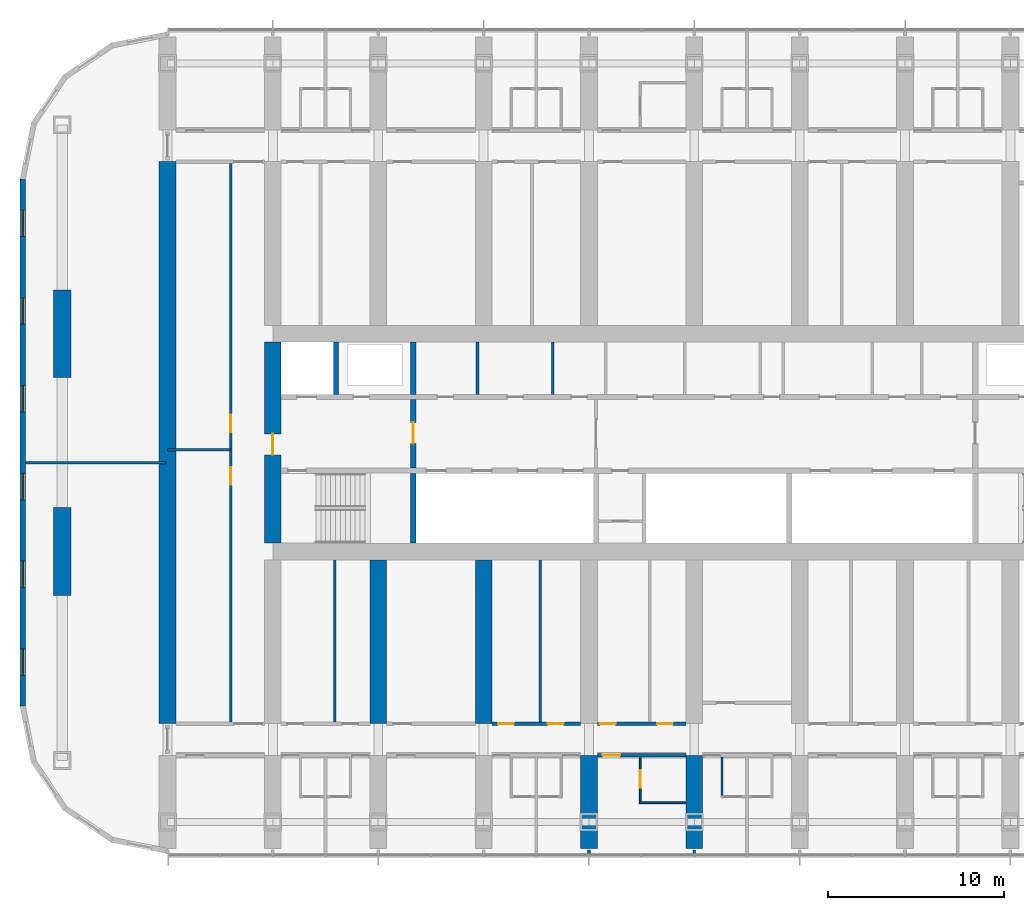
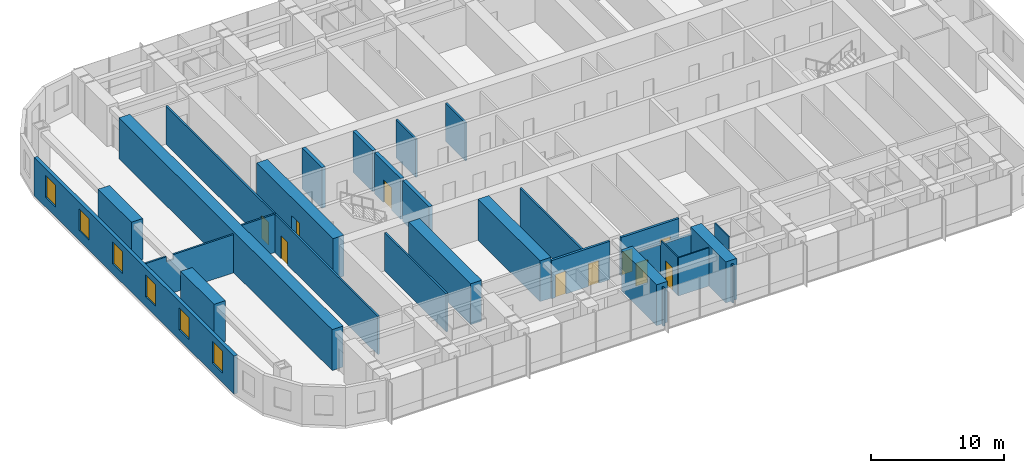
# One storey, part 9 of 21: 28 walls, 10 doors, 6 windows, 16 openings.
"""IFC4 building model written with IfcOpenShell, lengths in metres."""

from ifc_helpers import new_model, si_unit, direction, frame, frame_2d, origin, place, context, subcontext, project, spatial, polyline, rectangle, outline, extrude, material, layer, layer_set, type_object, element, fill, save


model = new_model("IFC4")

# Units and contexts
model_context = context("Model", 3, precision=1e-05, world=origin(), true_north=direction((0.0, 1.0)))
body_context = subcontext(model_context, "Body", "Model", "MODEL_VIEW")
ifc_project = project(units=[si_unit("LENGTHUNIT", "METRE"), si_unit("AREAUNIT", "SQUARE_METRE"), si_unit("VOLUMEUNIT", "CUBIC_METRE"), si_unit("PLANEANGLEUNIT", "RADIAN"), si_unit("MASSUNIT", "GRAM", prefix="KILO")], contexts=[model_context])

# Site, building, storey
site_placement = place(None, origin())
site = spatial("IfcSite", under=ifc_project, at=site_placement, CompositionType="ELEMENT")
building_placement = place(site_placement, origin())
building = spatial("IfcBuilding", under=site, at=building_placement, Name="Orbita Commons", CompositionType="ELEMENT")
storey_placement = place(building_placement, frame((0.0, 0.0, 91.89990234375)))
storey = spatial("IfcBuildingStorey", under=building, at=storey_placement, Name="L22", CompositionType="ELEMENT", Elevation=91.89990234375)

# Wall
ifc_material_1 = material(Name="Concrete C50/60", Category="concrete")
ifc_layer_1 = layer(ifc_material_1, 0.300048828125)
ifc_layer_set_1 = layer_set([ifc_layer_1], Name="Concrete C50/60")
wall_type_1 = type_object("IfcWallType", Name="Core inner wall 300 C50/60", PredefinedType="SHEAR", material=ifc_layer_set_1)
wall_1_placement = place(storey_placement, frame((26.0, 26.27490234375, 0.0), z_axis=(0.0, 0.0, 1.0), x_axis=(0.0, 1.0, 0.0)))
element("IfcWall", 1, at=wall_1_placement, inside=storey, type_object=wall_type_1, Name="Stair S1 wall L22", PredefinedType="SHEAR", context=body_context, shape_type="SweptSolid", body=[
    extrude(rectangle(XDim=3.97509765625, YDim=0.300048828125, at=frame_2d((1.987548828125, 0.0))), origin(), (0.0, 0.0, 1.0), 3.75),
])

# Wall, opening, door
wall_2_placement = place(storey_placement, frame((26.0, 30.550048828125, 0.0), z_axis=(0.0, 0.0, 1.0), x_axis=(0.0, 1.0, 0.0)))
wall_2 = element("IfcWall", 2, at=wall_2_placement, inside=storey, type_object=wall_type_1, Name="Firefighting lobby wall west L22", PredefinedType="SHEAR", context=body_context, shape_type="SweptSolid", body=[
    extrude(rectangle(XDim=3.89990234375, YDim=0.300048828125, at=frame_2d((1.949951171875, 0.0))), origin(), (0.0, 0.0, 1.0), 3.75),
])
opening_1_placement = place(wall_2_placement, frame((1.39990234375, 0.0, 0.0)))
opening_1 = element("IfcOpeningElement", 3, at=opening_1_placement, cuts=wall_2, Name="Opening D04", PredefinedType="OPENING", context=body_context, shape_type="SweptSolid", body=[
    extrude(rectangle(XDim=1.199951171875, YDim=2.10009765625, at=frame_2d((0.60009765625, 1.050048828125))), frame((0.0, 0.159912109375, 0.0), z_axis=(0.0, -1.0, 0.0), x_axis=(1.0, 0.0, 0.0)), (0.0, 0.0, 1.0), 0.320068359375),
])
ifc_material_2 = material(Name="Steel-faced fire door leaf", Category="steel")
door_type_1 = type_object("IfcDoorType", Name="Service door 20 min 1200x2100", OperationType="SINGLE_SWING_LEFT", PredefinedType="DOOR", material=ifc_material_2)
door_1_placement = place(opening_1_placement, origin())
door_1 = element("IfcDoor", 4, at=door_1_placement, inside=storey, type_object=door_type_1, Name="Lift lobby door west", OperationType="SINGLE_SWING_LEFT", OverallHeight=2.10009765625, OverallWidth=1.199951171875, PredefinedType="DOOR", context=body_context, shape_type="SweptSolid", body=[
    extrude(rectangle(XDim=1.199951171875, YDim=2.10009765625, at=frame_2d((0.60009765625, 1.050048828125))), frame((0.0, 0.02490234375, 0.0), z_axis=(0.0, -1.0, 0.0), x_axis=(1.0, 0.0, 0.0)), (0.0, 0.0, 1.0), 0.050048828125),
])
fill(opening_1, door_1)

# Walls
for number, where, z_axis, x_axis, name in (
    (5, (21.60009765625, 34.75, 0.0), (0.0, 0.0, 1.0), (0.0, 1.0, 0.0), "Firefighting lift FL1 shaft wall L22"),
    (6, (26.0, 34.75, 0.0), (0.0, 0.0, 1.0), (0.0, 1.0, 0.0), "Riser wall west L22"),
):
    element("IfcWall", number, at=place(storey_placement, frame(where, z_axis=z_axis, x_axis=x_axis)), inside=storey, type_object=wall_type_1, Name=name, PredefinedType="SHEAR", context=body_context, shape_type="SweptSolid", body=[
        extrude(rectangle(XDim=2.97509765625, YDim=0.300048828125, at=frame_2d((1.487548828125, 0.0))), origin(), (0.0, 0.0, 1.0), 3.75),
    ])
ifc_material_3 = material(Name="Concrete blockwork", Category="masonry")
ifc_layer_2 = layer(ifc_material_3, 0.14990234375)
ifc_layer_set_2 = layer_set([ifc_layer_2], Name="Concrete blockwork")
wall_type_2 = type_object("IfcWallType", Name="Core partition 150 blockwork", PredefinedType="SOLIDWALL", material=ifc_layer_set_2)
for number, where, z_axis, x_axis, name in (
    (7, (29.65087890625, 34.75, 0.0), (0.0, 0.0, 1.0), (0.0, 1.0, 0.0), "Core partition 150 blockwork L22"),
    (8, (33.9462890625, 34.75, 0.0), (0.0, 0.0, 1.0), (0.0, 1.0, 0.0), "Core partition 150 blockwork L22"),
):
    element("IfcWall", number, at=place(storey_placement, frame(where, z_axis=z_axis, x_axis=x_axis)), inside=storey, type_object=wall_type_2, Name=name, PredefinedType="SOLIDWALL", context=body_context, shape_type="SweptSolid", body=[
        extrude(rectangle(XDim=2.97509765625, YDim=0.14990234375, at=frame_2d((1.487548828125, 0.0))), origin(), (0.0, 0.0, 1.0), 3.5),
    ])

# Wall, opening, door
ifc_material_4 = material(Name="Concrete C50/60", Category="concrete")
ifc_layer_3 = layer(ifc_material_4, 0.949951171875)
ifc_layer_set_3 = layer_set([ifc_layer_3], Name="Concrete C50/60")
wall_type_3 = type_object("IfcWallType", Name="Core wall 950 C50/60", PredefinedType="SHEAR", material=ifc_layer_set_3)
wall_3_placement = place(storey_placement, frame((18.0, 26.27490234375, 0.0), z_axis=(0.0, 0.0, 1.0), x_axis=(0.0, 1.0, 0.0)))
wall_3 = element("IfcWall", 9, at=wall_3_placement, inside=storey, type_object=wall_type_3, Name="Core end wall west L22", PredefinedType="SHEAR", context=body_context, shape_type="SweptSolid", body=[
    extrude(rectangle(XDim=11.4501953125, YDim=0.949951171875, at=frame_2d((5.72509765625, 0.0))), origin(), (0.0, 0.0, 1.0), 3.75),
])
opening_2_placement = place(wall_3_placement, frame((5.02490234375, 0.0, 0.0)))
opening_2 = element("IfcOpeningElement", 10, at=opening_2_placement, cuts=wall_3, Name="Opening D01", PredefinedType="OPENING", context=body_context, shape_type="SweptSolid", body=[
    extrude(rectangle(XDim=1.199951171875, YDim=2.10009765625, at=frame_2d((0.60009765625, 1.050048828125))), frame((0.0, 0.48486328125, 0.0), z_axis=(0.0, -1.0, 0.0), x_axis=(1.0, 0.0, 0.0)), (0.0, 0.0, 1.0), 0.969970703125),
])
ifc_material_5 = material(Name="Steel-faced fire door leaf", Category="steel")
door_type_2 = type_object("IfcDoorType", Name="Fire door 90 min 1200x2100", OperationType="SINGLE_SWING_LEFT", PredefinedType="DOOR", material=ifc_material_5)
door_2_placement = place(opening_2_placement, origin())
door_2 = element("IfcDoor", 11, at=door_2_placement, inside=storey, type_object=door_type_2, Name="Firefighting lobby west door", OperationType="SINGLE_SWING_LEFT", OverallHeight=2.10009765625, OverallWidth=1.199951171875, PredefinedType="DOOR", context=body_context, shape_type="SweptSolid", body=[
    extrude(rectangle(XDim=1.199951171875, YDim=2.10009765625, at=frame_2d((0.60009765625, 1.050048828125))), frame((0.0, 0.02490234375, 0.0), z_axis=(0.0, -1.0, 0.0), x_axis=(1.0, 0.0, 0.0)), (0.0, 0.0, 1.0), 0.050048828125),
])
fill(opening_2, door_2)

ifc_material_6 = material(Name="Concrete blockwork", Category="masonry")
ifc_layer_4 = layer(ifc_material_6, 0.199951171875)
ifc_layer_set_4 = layer_set([ifc_layer_4], Name="Concrete blockwork")
wall_type_4 = type_object("IfcWallType", Name="Corridor wall 200 blockwork", PredefinedType="SOLIDWALL", material=ifc_layer_set_4)
wall_4_placement = place(storey_placement, frame((36.47509765625, 14.199951171875, 0.0), z_axis=(0.0, 0.0, 1.0), x_axis=(1.0, 0.0, 0.0)))
wall_4 = element("IfcWall", 12, at=wall_4_placement, inside=storey, type_object=wall_type_4, Name="Corridor wall 200 blockwork L22", PredefinedType="SOLIDWALL", context=body_context, shape_type="SweptSolid", body=[
    extrude(outline(polyline([(0.0, 0.0), (5.0498046875, 0.0), (5.050048828125, 3.10009765625), (0.0, 3.10009765625), (0.0, 0.0)])), frame((0.0, 0.10009765625, 0.0), z_axis=(0.0, -1.0, 0.0), x_axis=(1.0, 0.0, 0.0)), (0.0, 0.0, 1.0), 0.199951171875),
])
opening_3_placement = place(wall_4_placement, frame((0.300048828125, 0.0, 0.0)))
opening_3 = element("IfcOpeningElement", 13, at=opening_3_placement, cuts=wall_4, Name="Opening D06", PredefinedType="OPENING", context=body_context, shape_type="SweptSolid", body=[
    extrude(rectangle(XDim=1.0, YDim=2.10009765625, at=frame_2d((0.5, 1.050048828125))), frame((0.0, 0.10986328125, 0.0), z_axis=(0.0, -1.0, 0.0), x_axis=(1.0, 0.0, 0.0)), (0.0, 0.0, 1.0), 0.219970703125),
])
ifc_material_7 = material(Name="Steel-faced fire door leaf", Category="steel")
door_type_3 = type_object("IfcDoorType", Name="Corridor door 20 min 1000x2100", OperationType="SINGLE_SWING_LEFT", PredefinedType="DOOR", material=ifc_material_7)
door_3_placement = place(opening_3_placement, origin())
door_3 = element("IfcDoor", 14, at=door_3_placement, inside=storey, type_object=door_type_3, Name="Accessible bedroom L22-S08 door", OperationType="SINGLE_SWING_LEFT", OverallHeight=2.10009765625, OverallWidth=1.0, PredefinedType="DOOR", context=body_context, shape_type="SweptSolid", body=[
    extrude(rectangle(XDim=1.0, YDim=2.10009765625, at=frame_2d((0.5, 1.050048828125))), frame((0.0, 0.02490234375, 0.0), z_axis=(0.0, -1.0, 0.0), x_axis=(1.0, 0.0, 0.0)), (0.0, 0.0, 1.0), 0.050048828125),
])
fill(opening_3, door_3)

# Wall, openings, doors
ifc_material_8 = material(Name="Hollow concrete block 200", Category="concrete")
ifc_layer_5 = layer(ifc_material_8, 0.199951171875)
ifc_layer_set_5 = layer_set([ifc_layer_5], Name="Hollow concrete block 200")
wall_type_5 = type_object("IfcWallType", Name="Corridor wall 200 hollow concrete block", PredefinedType="SOLIDWALL", material=ifc_layer_set_5)
wall_5_placement = place(storey_placement, frame((30.47509765625, 16.0, 0.0), z_axis=(0.0, 0.0, 1.0), x_axis=(1.0, 0.0, 0.0)))
wall_5 = element("IfcWall", 15, at=wall_5_placement, inside=storey, type_object=wall_type_5, Name="Corridor wall 200 hollow concrete block L22", PredefinedType="SOLIDWALL", context=body_context, shape_type="SweptSolid", body=[
    extrude(rectangle(XDim=5.0498046875, YDim=0.199951171875, at=frame_2d((2.52490234375, 0.0))), origin(), (0.0, 0.0, 1.0), 3.5),
])
opening_4_placement = place(wall_5_placement, frame((0.35009765625, 0.0, 0.0)))
opening_4 = element("IfcOpeningElement", 16, at=opening_4_placement, cuts=wall_5, Name="Opening D11", PredefinedType="OPENING", context=body_context, shape_type="SweptSolid", body=[
    extrude(rectangle(XDim=0.89990234375, YDim=2.10009765625, at=frame_2d((0.449951171875, 1.050048828125))), frame((0.0, 0.10986328125, 0.0), z_axis=(0.0, -1.0, 0.0), x_axis=(1.0, 0.0, 0.0)), (0.0, 0.0, 1.0), 0.219970703125),
])
opening_5_placement = place(wall_5_placement, frame((3.18505859375, 0.0, 0.0)))
opening_5 = element("IfcOpeningElement", 17, at=opening_5_placement, cuts=wall_5, Name="Opening D11", PredefinedType="OPENING", context=body_context, shape_type="SweptSolid", body=[
    extrude(rectangle(XDim=0.89990234375, YDim=2.10009765625, at=frame_2d((0.449951171875, 1.050048828125))), frame((0.0, 0.10986328125, 0.0), z_axis=(0.0, -1.0, 0.0), x_axis=(1.0, 0.0, 0.0)), (0.0, 0.0, 1.0), 0.219970703125),
])
ifc_material_9 = material(Name="Steel-faced fire door leaf", Category="steel")
door_type_4 = type_object("IfcDoorType", Name="Corridor door 20 min 900x2100", OperationType="SINGLE_SWING_LEFT", PredefinedType="DOOR", material=ifc_material_9)
door_4_placement = place(opening_4_placement, origin())
door_4 = element("IfcDoor", 18, at=door_4_placement, inside=storey, type_object=door_type_4, Name="Bicycle repair workshop L22-BDS30 door", OperationType="SINGLE_SWING_LEFT", OverallHeight=2.10009765625, OverallWidth=0.89990234375, PredefinedType="DOOR", context=body_context, shape_type="SweptSolid", body=[
    extrude(rectangle(XDim=0.89990234375, YDim=2.10009765625, at=frame_2d((0.449951171875, 1.050048828125))), frame((0.0, 0.02490234375, 0.0), z_axis=(0.0, -1.0, 0.0), x_axis=(1.0, 0.0, 0.0)), (0.0, 0.0, 1.0), 0.050048828125),
])
fill(opening_4, door_4)
door_5_placement = place(opening_5_placement, origin())
door_5 = element("IfcDoor", 19, at=door_5_placement, inside=storey, type_object=door_type_4, Name="Battery and UPS room L22-BDS30n door", OperationType="SINGLE_SWING_LEFT", OverallHeight=2.10009765625, OverallWidth=0.89990234375, PredefinedType="DOOR", context=body_context, shape_type="SweptSolid", body=[
    extrude(rectangle(XDim=0.89990234375, YDim=2.10009765625, at=frame_2d((0.449951171875, 1.050048828125))), frame((0.0, 0.02490234375, 0.0), z_axis=(0.0, -1.0, 0.0), x_axis=(1.0, 0.0, 0.0)), (0.0, 0.0, 1.0), 0.050048828125),
])
fill(opening_5, door_5)

wall_6_placement = place(storey_placement, frame((36.47509765625, 16.0, 0.0), z_axis=(0.0, 0.0, 1.0), x_axis=(1.0, 0.0, 0.0)))
wall_6 = element("IfcWall", 20, at=wall_6_placement, inside=storey, type_object=wall_type_5, Name="Corridor wall 200 hollow concrete block L22", PredefinedType="SOLIDWALL", context=body_context, shape_type="SweptSolid", body=[
    extrude(rectangle(XDim=5.0498046875, YDim=0.199951171875, at=frame_2d((2.52490234375, 0.0))), origin(), (0.0, 0.0, 1.0), 3.5),
])
opening_6_placement = place(wall_6_placement, frame((0.14990234375, 0.0, 0.0)))
opening_6 = element("IfcOpeningElement", 21, at=opening_6_placement, cuts=wall_6, Name="Opening D11", PredefinedType="OPENING", context=body_context, shape_type="SweptSolid", body=[
    extrude(rectangle(XDim=0.89990234375, YDim=2.10009765625, at=frame_2d((0.449951171875, 1.050048828125))), frame((0.0, 0.10986328125, 0.0), z_axis=(0.0, -1.0, 0.0), x_axis=(1.0, 0.0, 0.0)), (0.0, 0.0, 1.0), 0.219970703125),
])
opening_7_placement = place(wall_6_placement, frame((3.405029296875, 0.0, 0.0)))
opening_7 = element("IfcOpeningElement", 22, at=opening_7_placement, cuts=wall_6, Name="Opening D11", PredefinedType="OPENING", context=body_context, shape_type="SweptSolid", body=[
    extrude(rectangle(XDim=0.89990234375, YDim=2.10009765625, at=frame_2d((0.449951171875, 1.050048828125))), frame((0.0, 0.10986328125, 0.0), z_axis=(0.0, -1.0, 0.0), x_axis=(1.0, 0.0, 0.0)), (0.0, 0.0, 1.0), 0.219970703125),
])
door_6_placement = place(opening_6_placement, origin())
door_6 = element("IfcDoor", 23, at=door_6_placement, inside=storey, type_object=door_type_4, Name="Meeting room L22-BDS36 door", OperationType="SINGLE_SWING_LEFT", OverallHeight=2.10009765625, OverallWidth=0.89990234375, PredefinedType="DOOR", context=body_context, shape_type="SweptSolid", body=[
    extrude(rectangle(XDim=0.89990234375, YDim=2.10009765625, at=frame_2d((0.449951171875, 1.050048828125))), frame((0.0, 0.02490234375, 0.0), z_axis=(0.0, -1.0, 0.0), x_axis=(1.0, 0.0, 0.0)), (0.0, 0.0, 1.0), 0.050048828125),
])
fill(opening_6, door_6)
door_7_placement = place(opening_7_placement, origin())
door_7 = element("IfcDoor", 24, at=door_7_placement, inside=storey, type_object=door_type_4, Name="Sprinkler valve room L22-BDS36n door", OperationType="SINGLE_SWING_LEFT", OverallHeight=2.10009765625, OverallWidth=0.89990234375, PredefinedType="DOOR", context=body_context, shape_type="SweptSolid", body=[
    extrude(rectangle(XDim=0.89990234375, YDim=2.10009765625, at=frame_2d((0.449951171875, 1.050048828125))), frame((0.0, 0.02490234375, 0.0), z_axis=(0.0, -1.0, 0.0), x_axis=(1.0, 0.0, 0.0)), (0.0, 0.0, 1.0), 0.050048828125),
])
fill(opening_7, door_7)

# Walls
ifc_material_10 = material(Name="Concrete C50/60", Category="concrete")
ifc_layer_6 = layer(ifc_material_10, 0.949951171875)
ifc_layer_set_6 = layer_set([ifc_layer_6], Name="Concrete C50/60")
wall_type_6 = type_object("IfcWallType", Name="Cross wall 950 C50/60", PredefinedType="SHEAR", material=ifc_layer_set_6)
wall_7_placement = place(storey_placement, frame((12.0, 16.0, 0.0), z_axis=(0.0, 0.0, 1.0), x_axis=(0.0, 1.0, 0.0)))
element("IfcWall", 25, at=wall_7_placement, inside=storey, type_object=wall_type_6, Name="Cross wall 3 inner L22", PredefinedType="SHEAR", context=body_context, shape_type="SweptSolid", body=[
    extrude(rectangle(XDim=32.0, YDim=0.949951171875, at=frame_2d((16.0, 0.0))), origin(), (0.0, 0.0, 1.0), 3.75),
])
for number, where, z_axis, x_axis, name in (
    (26, (24.0, 16.0, 0.0), (0.0, 0.0, 1.0), (0.0, 1.0, 0.0), "Cross wall 5 south inner L22"),
    (27, (30.0, 16.0, 0.0), (0.0, 0.0, 1.0), (0.0, 1.0, 0.0), "Cross wall 6 south inner L22"),
):
    element("IfcWall", number, at=place(storey_placement, frame(where, z_axis=z_axis, x_axis=x_axis)), inside=storey, type_object=wall_type_6, Name=name, PredefinedType="SHEAR", context=body_context, shape_type="SweptSolid", body=[
        extrude(rectangle(XDim=9.324951171875, YDim=0.949951171875, at=frame_2d((4.66259765625, 0.0))), origin(), (0.0, 0.0, 1.0), 3.75),
    ])
for number, where, z_axis, x_axis, name in (
    (28, (36.0, 8.89990234375, 0.0), (0.0, 0.0, 1.0), (0.0, 1.0, 0.0), "Cross wall 7 south outer L22"),
    (29, (42.0, 8.89990234375, 0.0), (0.0, 0.0, 1.0), (0.0, 1.0, 0.0), "Cross wall 8 south outer L22"),
):
    element("IfcWall", number, at=place(storey_placement, frame(where, z_axis=z_axis, x_axis=x_axis)), inside=storey, type_object=wall_type_6, Name=name, PredefinedType="SHEAR", context=body_context, shape_type="SweptSolid", body=[
        extrude(rectangle(XDim=5.300048828125, YDim=0.949951171875, at=frame_2d((2.64990234375, 0.0))), origin(), (0.0, 0.0, 1.0), 3.75),
    ])
ifc_material_11 = material(Name="Moisture-resistant plasterboard on steel studs", Category="steel")
ifc_layer_7 = layer(ifc_material_11, 0.10009765625)
ifc_layer_set_7 = layer_set([ifc_layer_7], Name="Moisture-resistant plasterboard on steel studs")
wall_type_7 = type_object("IfcWallType", Name="En-suite partition 100", PredefinedType="PARTITIONING", material=ifc_layer_set_7)
wall_8_placement = place(storey_placement, frame((38.875, 11.5, 0.0), z_axis=(0.0, 0.0, 1.0), x_axis=(1.0, 0.0, 0.0)))
element("IfcWall", 30, at=wall_8_placement, inside=storey, type_object=wall_type_7, Name="En-suite partition 100 L22", PredefinedType="PARTITIONING", context=body_context, shape_type="SweptSolid", body=[
    extrude(rectangle(XDim=2.64990234375, YDim=0.10009765625, at=frame_2d((1.324951171875, 0.0))), origin(), (0.0, 0.0, 1.0), 3.5),
])

# Wall, opening, door
wall_9_placement = place(storey_placement, frame((38.925048828125, 11.550048828125, 0.0), z_axis=(0.0, 0.0, 1.0), x_axis=(0.0, 1.0, 0.0)))
wall_9 = element("IfcWall", 31, at=wall_9_placement, inside=storey, type_object=wall_type_7, Name="En-suite partition 100 L22", PredefinedType="PARTITIONING", context=body_context, shape_type="SweptSolid", body=[
    extrude(outline(polyline([(0.0, 0.0), (2.550048828125, 0.0), (2.550048828125, 3.10009765625), (2.501953125, 3.10009765625), (2.5, 3.5), (0.0, 3.5), (0.0, 0.0)])), frame((0.0, 0.050048828125, 0.0), z_axis=(0.0, -1.0, 0.0), x_axis=(1.0, 0.0, 0.0)), (0.0, 0.0, 1.0), 0.10009765625),
])
opening_8_placement = place(wall_9_placement, frame((0.800048828125, 0.0, 0.0)))
opening_8 = element("IfcOpeningElement", 32, at=opening_8_placement, cuts=wall_9, Name="Opening D13", PredefinedType="OPENING", context=body_context, shape_type="SweptSolid", body=[
    extrude(rectangle(XDim=1.0, YDim=2.10009765625, at=frame_2d((0.5, 1.050048828125))), frame((0.0, 0.06005859375, 0.0), z_axis=(0.0, -1.0, 0.0), x_axis=(1.0, 0.0, 0.0)), (0.0, 0.0, 1.0), 0.1201171875),
])
ifc_material_12 = material(Name="Laminated timber door leaf", Category="wood")
door_type_5 = type_object("IfcDoorType", Name="En-suite door 1000x2100", OperationType="SINGLE_SWING_RIGHT", PredefinedType="DOOR", material=ifc_material_12)
door_8_placement = place(opening_8_placement, origin())
door_8 = element("IfcDoor", 33, at=door_8_placement, inside=storey, type_object=door_type_5, Name="Accessible shower room L22-S08 door", OperationType="SINGLE_SWING_RIGHT", OverallHeight=2.10009765625, OverallWidth=1.0, PredefinedType="DOOR", context=body_context, shape_type="SweptSolid", body=[
    extrude(rectangle(XDim=1.0, YDim=2.10009765625, at=frame_2d((0.5, 1.050048828125))), frame((0.0, 0.02490234375, 0.0), z_axis=(0.0, -1.0, 0.0), x_axis=(1.0, 0.0, 0.0)), (0.0, 0.0, 1.0), 0.050048828125),
])
fill(opening_8, door_8)

# Walls
wall_10_placement = place(storey_placement, frame((43.574951171875, 11.890625, 0.0), z_axis=(0.0, 0.0, 1.0), x_axis=(0.0, 1.0, 0.0)))
element("IfcWall", 34, at=wall_10_placement, inside=storey, type_object=wall_type_7, Name="En-suite partition 100 L22", PredefinedType="PARTITIONING", context=body_context, shape_type="SweptSolid", body=[
    extrude(outline(polyline([(0.0, 0.0), (2.20947265625, 0.0), (2.209228515625, 3.10009765625), (2.161376953125, 3.10009765625), (2.1591796875, 3.5), (0.0, 3.5), (0.0, 0.0)])), frame((0.0, 0.050048828125, 0.0), z_axis=(0.0, -1.0, 0.0), x_axis=(1.0, 0.0, 0.0)), (0.0, 0.0, 1.0), 0.10009765625),
])
ifc_material_13 = material(Name="Concrete C50/60", Category="concrete")
ifc_layer_8 = layer(ifc_material_13, 1.0)
ifc_layer_set_8 = layer_set([ifc_layer_8], Name="Concrete C50/60")
wall_type_8 = type_object("IfcWallType", Name="End pier 1000x5000 C50/60", PredefinedType="SHEAR", material=ifc_layer_set_8)
for number, where, z_axis, x_axis, name in (
    (35, (6.0, 23.300048828125, 0.0), (0.0, 0.0, 1.0), (0.0, 1.0, 0.0), "End pier 2/C L22"),
    (36, (6.0, 35.699951171875, 0.0), (0.0, 0.0, 1.0), (0.0, 1.0, 0.0), "End pier 2/D L22"),
):
    element("IfcWall", number, at=place(storey_placement, frame(where, z_axis=z_axis, x_axis=x_axis)), inside=storey, type_object=wall_type_8, Name=name, PredefinedType="SHEAR", context=body_context, shape_type="SweptSolid", body=[
        extrude(rectangle(XDim=5.0, YDim=1.0, at=frame_2d((2.5, 0.0))), origin(), (0.0, 0.0, 1.0), 3.75),
    ])
ifc_material_14 = material(Name="Gypsum plasterboard on steel studs", Category="steel")
ifc_layer_9 = layer(ifc_material_14, 0.14990234375)
ifc_layer_set_9 = layer_set([ifc_layer_9], Name="Gypsum plasterboard on steel studs")
wall_type_9 = type_object("IfcWallType", Name="Partition 150 plasterboard", PredefinedType="PARTITIONING", material=ifc_layer_set_9)
for number, where, z_axis, x_axis, name in (
    (37, (21.52490234375, 16.10009765625, 0.0), (0.0, 0.0, 1.0), (0.0, 1.0, 0.0), "Partition 150 plasterboard L22"),
    (38, (33.235107421875, 16.10009765625, 0.0), (0.0, 0.0, 1.0), (0.0, 1.0, 0.0), "Partition 150 plasterboard L22"),
):
    element("IfcWall", number, at=place(storey_placement, frame(where, z_axis=z_axis, x_axis=x_axis)), inside=storey, type_object=wall_type_9, Name=name, PredefinedType="PARTITIONING", context=body_context, shape_type="SweptSolid", body=[
        extrude(rectangle(XDim=9.224853515625, YDim=0.14990234375, at=frame_2d((4.6123046875, 0.0))), origin(), (0.0, 0.0, 1.0), 3.5),
    ])

# Wall, openings, doors
wall_11_placement = place(storey_placement, frame((15.60009765625, 16.10009765625, 0.0), z_axis=(0.0, 0.0, 1.0), x_axis=(0.0, 1.0, 0.0)))
wall_11 = element("IfcWall", 39, at=wall_11_placement, inside=storey, type_object=wall_type_9, Name="Partition 150 plasterboard L22", PredefinedType="PARTITIONING", context=body_context, shape_type="SweptSolid", body=[
    extrude(rectangle(XDim=31.7998046875, YDim=0.14990234375, at=frame_2d((15.89990234375, 0.0))), origin(), (0.0, 0.0, 1.0), 3.5),
])
opening_9_placement = place(wall_11_placement, frame((13.5, 0.0, 0.0)))
opening_9 = element("IfcOpeningElement", 40, at=opening_9_placement, cuts=wall_11, Name="Opening D06", PredefinedType="OPENING", context=body_context, shape_type="SweptSolid", body=[
    extrude(rectangle(XDim=1.0, YDim=2.10009765625, at=frame_2d((0.5, 1.050048828125))), frame((0.0, 0.0849609375, 0.0), z_axis=(0.0, -1.0, 0.0), x_axis=(1.0, 0.0, 0.0)), (0.0, 0.0, 1.0), 0.169921875),
])
opening_10_placement = place(wall_11_placement, frame((16.5, 0.0, 0.0)))
opening_10 = element("IfcOpeningElement", 41, at=opening_10_placement, cuts=wall_11, Name="Opening D06", PredefinedType="OPENING", context=body_context, shape_type="SweptSolid", body=[
    extrude(rectangle(XDim=1.0, YDim=2.10009765625, at=frame_2d((0.5, 1.050048828125))), frame((0.0, 0.0849609375, 0.0), z_axis=(0.0, -1.0, 0.0), x_axis=(1.0, 0.0, 0.0)), (0.0, 0.0, 1.0), 0.169921875),
])
door_9_placement = place(opening_9_placement, origin())
door_9 = element("IfcDoor", 42, at=door_9_placement, inside=storey, type_object=door_type_3, Name="Interview room door", OperationType="SINGLE_SWING_LEFT", OverallHeight=2.10009765625, OverallWidth=1.0, PredefinedType="DOOR", context=body_context, shape_type="SweptSolid", body=[
    extrude(rectangle(XDim=1.0, YDim=2.10009765625, at=frame_2d((0.5, 1.050048828125))), frame((0.0, 0.02490234375, 0.0), z_axis=(0.0, -1.0, 0.0), x_axis=(1.0, 0.0, 0.0)), (0.0, 0.0, 1.0), 0.050048828125),
])
fill(opening_9, door_9)
door_10_placement = place(opening_10_placement, origin())
door_10 = element("IfcDoor", 43, at=door_10_placement, inside=storey, type_object=door_type_3, Name="Prayer room door", OperationType="SINGLE_SWING_LEFT", OverallHeight=2.10009765625, OverallWidth=1.0, PredefinedType="DOOR", context=body_context, shape_type="SweptSolid", body=[
    extrude(rectangle(XDim=1.0, YDim=2.10009765625, at=frame_2d((0.5, 1.050048828125))), frame((0.0, 0.02490234375, 0.0), z_axis=(0.0, -1.0, 0.0), x_axis=(1.0, 0.0, 0.0)), (0.0, 0.0, 1.0), 0.050048828125),
])
fill(opening_10, door_10)

# Walls
wall_12_placement = place(storey_placement, frame((12.0, 31.60009765625, 0.0), z_axis=(0.0, 0.0, 1.0), x_axis=(1.0, 0.0, 0.0)))
element("IfcWall", 44, at=wall_12_placement, inside=storey, type_object=wall_type_9, Name="Partition 150 plasterboard L22", PredefinedType="PARTITIONING", context=body_context, shape_type="SweptSolid", body=[
    extrude(rectangle(XDim=3.60009765625, YDim=0.14990234375, at=frame_2d((1.800048828125, 0.0))), origin(), (0.0, 0.0, 1.0), 3.5),
])
wall_13_placement = place(storey_placement, frame((3.905029296875, 30.85009765625, 0.0), z_axis=(0.0, 0.0, 1.0), x_axis=(1.0, 0.0, 0.0)))
element("IfcWall", 45, at=wall_13_placement, inside=storey, type_object=wall_type_9, Name="Partition 150 plasterboard L22", PredefinedType="PARTITIONING", context=body_context, shape_type="SweptSolid", body=[
    extrude(outline(polyline([(0.0, 0.0), (8.02001953125, 0.0), (8.02001953125, 3.5), (2.39697265625, 3.5), (2.39501953125, 3.050048828125), (1.797119140625, 3.050048828125), (1.794921875, 3.5), (0.0, 3.5), (0.0, 0.0)])), frame((0.0, 0.074951171875, 0.0), z_axis=(0.0, -1.0, 0.0), x_axis=(1.0, 0.0, 0.0)), (0.0, 0.0, 1.0), 0.14990234375),
])
for number, where, z_axis, x_axis, name in (
    (46, (36.0, 8.800048828125, 0.0), (0.0, 0.0, 1.0), (0.0, -1.0, 0.0), "Partition 150 plasterboard L22"),
    (47, (42.0, 8.800048828125, 0.0), (0.0, 0.0, 1.0), (0.0, -1.0, 0.0), "Partition 150 plasterboard L22"),
):
    element("IfcWall", number, at=place(storey_placement, frame(where, z_axis=z_axis, x_axis=x_axis)), inside=storey, type_object=wall_type_9, Name=name, PredefinedType="PARTITIONING", context=body_context, shape_type="SweptSolid", body=[
        extrude(rectangle(XDim=0.18994140625, YDim=0.14990234375, at=frame_2d((0.094970703125, 0.0))), origin(), (0.0, 0.0, 1.0), 3.5),
    ])

# Wall, openings, windows
ifc_material_15 = material(Name="Precast concrete C40/50, white board-marked finish", Category="concrete")
ifc_layer_10 = layer(ifc_material_15, 0.300048828125)
ifc_layer_set_10 = layer_set([ifc_layer_10], Name="Precast concrete C40/50, white board-marked finish")
wall_type_10 = type_object("IfcWallType", Name="Precast concrete end shield 300", PredefinedType="SOLIDWALL", material=ifc_layer_set_10)
wall_14_placement = place(storey_placement, frame((3.75, 47.0, 0.0), z_axis=(0.0, 0.0, 1.0), x_axis=(0.0, -1.0, 0.0)))
wall_14 = element("IfcWall", 48, at=wall_14_placement, inside=storey, type_object=wall_type_10, Name="End shield W L22", PredefinedType="SOLIDWALL", context=body_context, shape_type="SweptSolid", body=[
    extrude(outline(polyline([(-0.014892578125, -0.14990234375), (30.014892578125, -0.14990234375), (29.985107421875, 0.14990234375), (0.014892578125, 0.14990234375), (-0.014892578125, -0.14990234375)])), origin(), (0.0, 0.0, 1.0), 3.5),
])
opening_11_placement = place(wall_14_placement, frame((1.75, 0.0, 0.89990234375)))
opening_11 = element("IfcOpeningElement", 49, at=opening_11_placement, cuts=wall_14, Name="Opening W01", PredefinedType="OPENING", context=body_context, shape_type="SweptSolid", body=[
    extrude(rectangle(XDim=1.5, YDim=2.0, at=frame_2d((0.75, 1.0))), frame((0.0, 0.159912109375, 0.0), z_axis=(0.0, -1.0, 0.0), x_axis=(1.0, 0.0, 0.0)), (0.0, 0.0, 1.0), 0.320068359375),
])
opening_12_placement = place(wall_14_placement, frame((6.75, 0.0, 0.89990234375)))
opening_12 = element("IfcOpeningElement", 50, at=opening_12_placement, cuts=wall_14, Name="Opening W01", PredefinedType="OPENING", context=body_context, shape_type="SweptSolid", body=[
    extrude(rectangle(XDim=1.5, YDim=2.0, at=frame_2d((0.75, 1.0))), frame((0.0, 0.159912109375, 0.0), z_axis=(0.0, -1.0, 0.0), x_axis=(1.0, 0.0, 0.0)), (0.0, 0.0, 1.0), 0.320068359375),
])
opening_13_placement = place(wall_14_placement, frame((11.75, 0.0, 0.89990234375)))
opening_13 = element("IfcOpeningElement", 51, at=opening_13_placement, cuts=wall_14, Name="Opening W01", PredefinedType="OPENING", context=body_context, shape_type="SweptSolid", body=[
    extrude(rectangle(XDim=1.5, YDim=2.0, at=frame_2d((0.75, 1.0))), frame((0.0, 0.159912109375, 0.0), z_axis=(0.0, -1.0, 0.0), x_axis=(1.0, 0.0, 0.0)), (0.0, 0.0, 1.0), 0.320068359375),
])
opening_14_placement = place(wall_14_placement, frame((16.75, 0.0, 0.89990234375)))
opening_14 = element("IfcOpeningElement", 52, at=opening_14_placement, cuts=wall_14, Name="Opening W01", PredefinedType="OPENING", context=body_context, shape_type="SweptSolid", body=[
    extrude(rectangle(XDim=1.5, YDim=2.0, at=frame_2d((0.75, 1.0))), frame((0.0, 0.159912109375, 0.0), z_axis=(0.0, -1.0, 0.0), x_axis=(1.0, 0.0, 0.0)), (0.0, 0.0, 1.0), 0.320068359375),
])
opening_15_placement = place(wall_14_placement, frame((21.75, 0.0, 0.89990234375)))
opening_15 = element("IfcOpeningElement", 53, at=opening_15_placement, cuts=wall_14, Name="Opening W01", PredefinedType="OPENING", context=body_context, shape_type="SweptSolid", body=[
    extrude(rectangle(XDim=1.5, YDim=2.0, at=frame_2d((0.75, 1.0))), frame((0.0, 0.159912109375, 0.0), z_axis=(0.0, -1.0, 0.0), x_axis=(1.0, 0.0, 0.0)), (0.0, 0.0, 1.0), 0.320068359375),
])
opening_16_placement = place(wall_14_placement, frame((26.75, 0.0, 0.89990234375)))
opening_16 = element("IfcOpeningElement", 54, at=opening_16_placement, cuts=wall_14, Name="Opening W01", PredefinedType="OPENING", context=body_context, shape_type="SweptSolid", body=[
    extrude(rectangle(XDim=1.5, YDim=2.0, at=frame_2d((0.75, 1.0))), frame((0.0, 0.159912109375, 0.0), z_axis=(0.0, -1.0, 0.0), x_axis=(1.0, 0.0, 0.0)), (0.0, 0.0, 1.0), 0.320068359375),
])
ifc_material_16 = material(Name="Aluminium frame, clear double glazing", Category="aluminium")
window_type = type_object("IfcWindowType", Name="Deep-set window 1500x2000", PartitioningType="SINGLE_PANEL", PredefinedType="WINDOW", material=ifc_material_16)
window_1_placement = place(opening_11_placement, origin())
window_1 = element("IfcWindow", 55, at=window_1_placement, inside=storey, type_object=window_type, Name="Window L22-W 1", OverallHeight=2.0, OverallWidth=1.5, PartitioningType="SINGLE_PANEL", PredefinedType="WINDOW", context=body_context, shape_type="SweptSolid", body=[
    extrude(rectangle(XDim=1.5, YDim=2.0, at=frame_2d((0.75, 1.0))), frame((0.0, 0.030029296875, 0.0), z_axis=(0.0, -1.0, 0.0), x_axis=(1.0, 0.0, 0.0)), (0.0, 0.0, 1.0), 0.06005859375),
])
fill(opening_11, window_1)
window_2_placement = place(opening_12_placement, origin())
window_2 = element("IfcWindow", 56, at=window_2_placement, inside=storey, type_object=window_type, Name="Window L22-W 2", OverallHeight=2.0, OverallWidth=1.5, PartitioningType="SINGLE_PANEL", PredefinedType="WINDOW", context=body_context, shape_type="SweptSolid", body=[
    extrude(rectangle(XDim=1.5, YDim=2.0, at=frame_2d((0.75, 1.0))), frame((0.0, 0.030029296875, 0.0), z_axis=(0.0, -1.0, 0.0), x_axis=(1.0, 0.0, 0.0)), (0.0, 0.0, 1.0), 0.06005859375),
])
fill(opening_12, window_2)
window_3_placement = place(opening_13_placement, origin())
window_3 = element("IfcWindow", 57, at=window_3_placement, inside=storey, type_object=window_type, Name="Window L22-W 3", OverallHeight=2.0, OverallWidth=1.5, PartitioningType="SINGLE_PANEL", PredefinedType="WINDOW", context=body_context, shape_type="SweptSolid", body=[
    extrude(rectangle(XDim=1.5, YDim=2.0, at=frame_2d((0.75, 1.0))), frame((0.0, 0.030029296875, 0.0), z_axis=(0.0, -1.0, 0.0), x_axis=(1.0, 0.0, 0.0)), (0.0, 0.0, 1.0), 0.06005859375),
])
fill(opening_13, window_3)
window_4_placement = place(opening_14_placement, origin())
window_4 = element("IfcWindow", 58, at=window_4_placement, inside=storey, type_object=window_type, Name="Window L22-W 4", OverallHeight=2.0, OverallWidth=1.5, PartitioningType="SINGLE_PANEL", PredefinedType="WINDOW", context=body_context, shape_type="SweptSolid", body=[
    extrude(rectangle(XDim=1.5, YDim=2.0, at=frame_2d((0.75, 1.0))), frame((0.0, 0.030029296875, 0.0), z_axis=(0.0, -1.0, 0.0), x_axis=(1.0, 0.0, 0.0)), (0.0, 0.0, 1.0), 0.06005859375),
])
fill(opening_14, window_4)
window_5_placement = place(opening_15_placement, origin())
window_5 = element("IfcWindow", 59, at=window_5_placement, inside=storey, type_object=window_type, Name="Window L22-W 5", OverallHeight=2.0, OverallWidth=1.5, PartitioningType="SINGLE_PANEL", PredefinedType="WINDOW", context=body_context, shape_type="SweptSolid", body=[
    extrude(rectangle(XDim=1.5, YDim=2.0, at=frame_2d((0.75, 1.0))), frame((0.0, 0.030029296875, 0.0), z_axis=(0.0, -1.0, 0.0), x_axis=(1.0, 0.0, 0.0)), (0.0, 0.0, 1.0), 0.06005859375),
])
fill(opening_15, window_5)
window_6_placement = place(opening_16_placement, origin())
window_6 = element("IfcWindow", 60, at=window_6_placement, inside=storey, type_object=window_type, Name="Window L22-W 6", OverallHeight=2.0, OverallWidth=1.5, PartitioningType="SINGLE_PANEL", PredefinedType="WINDOW", context=body_context, shape_type="SweptSolid", body=[
    extrude(rectangle(XDim=1.5, YDim=2.0, at=frame_2d((0.75, 1.0))), frame((0.0, 0.030029296875, 0.0), z_axis=(0.0, -1.0, 0.0), x_axis=(1.0, 0.0, 0.0)), (0.0, 0.0, 1.0), 0.06005859375),
])
fill(opening_16, window_6)

save(model, "model.ifc")
